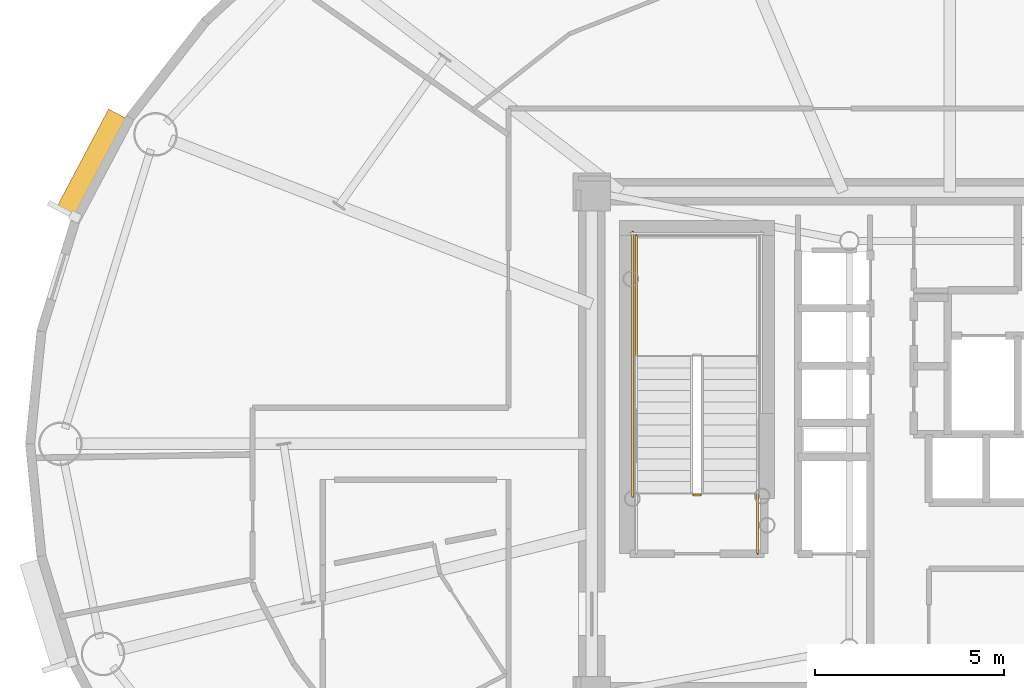
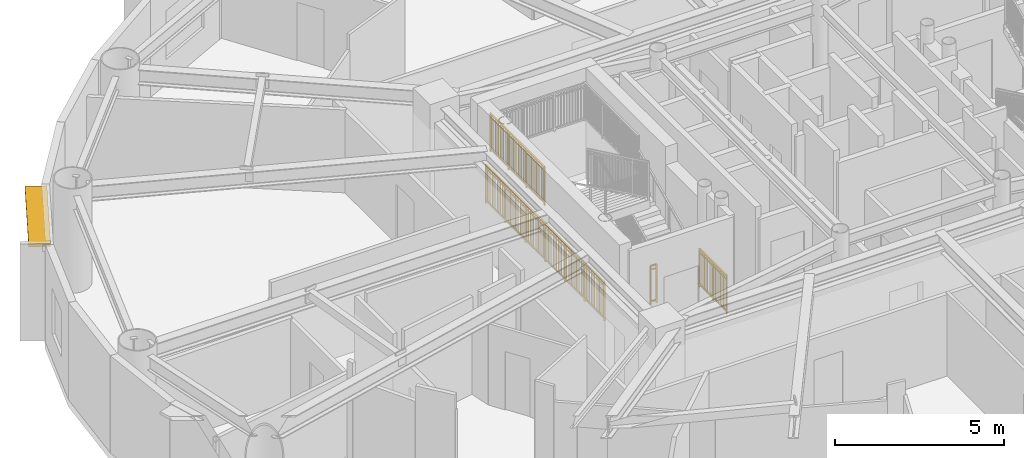
# One storey, part 16 of 21: 4 railings, 1 shading device.
"""IFC4 building model written with IfcOpenShell, lengths in metres."""

from ifc_helpers import new_model, si_unit, direction, frame, origin, origin_2d, place, context, subcontext, project, spatial, rectangle, extrude, source, transform, mapped, material, layer, layer_set, type_object, element, save


model = new_model("IFC4")

# Units and contexts
model_context = context("Model", 3, precision=1e-05, world=origin(), true_north=direction((0.0, 1.0)))
body_context = subcontext(model_context, "Body", "Model", "MODEL_VIEW")
ifc_project = project(units=[si_unit("LENGTHUNIT", "METRE"), si_unit("AREAUNIT", "SQUARE_METRE"), si_unit("VOLUMEUNIT", "CUBIC_METRE"), si_unit("PLANEANGLEUNIT", "RADIAN"), si_unit("MASSUNIT", "GRAM", prefix="KILO")], contexts=[model_context])

# Site, building, storey
site_placement = place(None, origin())
site = spatial("IfcSite", under=ifc_project, at=site_placement, CompositionType="ELEMENT")
building_placement = place(site_placement, origin())
building = spatial("IfcBuilding", under=site, at=building_placement, Name="Linh Dai School and Residence Tower", CompositionType="ELEMENT")
storey_placement = place(building_placement, frame((0.0, 0.0, 251.550048828125)))
storey = spatial("IfcBuildingStorey", under=building, at=storey_placement, Name="L62", CompositionType="ELEMENT", Elevation=251.550048828125)

# Shading device
ifc_material_1 = material(Name="Terracotta Ceramic Sunshade", Category="masonry")
ifc_layer = layer(ifc_material_1, 0.10009765625)
ifc_layer_set = layer_set([ifc_layer], Name="Terracotta Ceramic Sunshade")
shading_device_type = type_object("IfcShadingDeviceType", Name="SHD-TC-650", PredefinedType="USERDEFINED", material=ifc_layer_set)
shared_shape_1 = source(origin(), body_context, "Body", "SweptSolid", [
    extrude(rectangle(XDim=2.986083984375, YDim=0.64990234375, at=origin_2d()), origin(), (0.0, 0.0, 1.0), 0.10009765625),
])
shading_device_placement = place(storey_placement, frame((13.385009765625, 34.36376953125, 3.3798828125), z_axis=(0.0, 0.0, 1.0), x_axis=(0.467621224891, 0.883928950783, 0.0)))
element("IfcShadingDevice", 1, at=shading_device_placement, inside=storey, type_object=shading_device_type, Name="L62 Terracotta Horizontal Sunshade Band 18", ObjectType="SUNSHADE", PredefinedType="USERDEFINED", context=body_context, shape_type="MappedRepresentation", body=[
    mapped(shared_shape_1, transform((0.0, 0.0, 0.0), x_axis=(1.0, 0.0, 0.0), y_axis=(0.0, 1.0, 0.0), z_axis=(0.0, 0.0, 1.0), scale=1.0)),
])

# Railings
ifc_material_2 = material(Name="Structural Steel S355JR", Category="steel")
railing_type = type_object("IfcRailingType", Name="RL-ST-GUARD-1400", PredefinedType="GUARDRAIL", material=ifc_material_2)
shared_shape_2 = source(origin(), body_context, "Body", "SweptSolid", [
    extrude(rectangle(XDim=0.048095703125, YDim=0.048095703125, at=origin_2d()), frame((0.0, 0.0, 1.3759765625), z_axis=(-1.0, 0.0, 0.0), x_axis=(0.0, -1.0, 0.0)), (0.0, 0.0, 1.0), 0.199951171875),
    extrude(rectangle(XDim=0.048095703125, YDim=0.048095703125, at=origin_2d()), frame((0.0, 0.0, 0.10009765625), z_axis=(-1.0, 0.0, 0.0), x_axis=(0.0, -1.0, 0.0)), (0.0, 0.0, 1.0), 0.199951171875),
    extrude(rectangle(XDim=0.030029296875, YDim=0.030029296875, at=origin_2d()), frame((0.0, 0.0, 1.239990234375), z_axis=(-1.0, 0.0, 0.0), x_axis=(0.0, -1.0, 0.0)), (0.0, 0.0, 1.0), 0.199951171875),
    extrude(rectangle(XDim=0.0419921875, YDim=0.0419921875, at=origin_2d()), origin(), (0.0, 0.0, 1.0), 1.3759765625),
    extrude(rectangle(XDim=0.0419921875, YDim=0.0419921875, at=origin_2d()), frame((-0.199951171875, 0.0, 0.0)), (0.0, 0.0, 1.0), 1.3759765625),
])
railing_1_placement = place(storey_placement, frame((29.429931640625, 25.64990234375, 0.0)))
element("IfcRailing", 2, at=railing_1_placement, inside=storey, type_object=railing_type, Name="L62 ST1 stair guard 7", PredefinedType="GUARDRAIL", context=body_context, shape_type="MappedRepresentation", body=[
    mapped(shared_shape_2, transform((0.0, 0.0, 0.0), x_axis=(1.0, 0.0, 0.0), y_axis=(0.0, 1.0, 0.0), z_axis=(0.0, 0.0, 1.0), scale=1.0)),
])
shared_shape_3 = source(origin(), body_context, "Body", "SweptSolid", [
    extrude(rectangle(XDim=0.048095703125, YDim=0.048095703125, at=origin_2d()), frame((0.0, 0.0, 1.3759765625), z_axis=(0.0, 1.0, 0.0), x_axis=(-1.0, 0.0, 0.0)), (0.0, 0.0, 1.0), 1.599853515625),
    extrude(rectangle(XDim=0.048095703125, YDim=0.048095703125, at=origin_2d()), frame((0.0, 0.0, 0.10009765625), z_axis=(0.0, 1.0, 0.0), x_axis=(-1.0, 0.0, 0.0)), (0.0, 0.0, 1.0), 1.599853515625),
    extrude(rectangle(XDim=0.030029296875, YDim=0.030029296875, at=origin_2d()), frame((0.0, 0.0, 1.239990234375), z_axis=(0.0, 1.0, 0.0), x_axis=(-1.0, 0.0, 0.0)), (0.0, 0.0, 1.0), 1.599853515625),
    extrude(rectangle(XDim=0.02001953125, YDim=0.02001953125, at=origin_2d()), frame((0.0, 0.093994140625, 0.10009765625)), (0.0, 0.0, 1.0), 1.251708984375),
    extrude(rectangle(XDim=0.02001953125, YDim=0.02001953125, at=origin_2d()), frame((0.0, 0.188232421875, 0.10009765625)), (0.0, 0.0, 1.0), 1.251708984375),
    extrude(rectangle(XDim=0.02001953125, YDim=0.02001953125, at=origin_2d()), frame((0.0, 0.2822265625, 0.10009765625)), (0.0, 0.0, 1.0), 1.251708984375),
    extrude(rectangle(XDim=0.02001953125, YDim=0.02001953125, at=origin_2d()), frame((0.0, 0.37646484375, 0.10009765625)), (0.0, 0.0, 1.0), 1.251708984375),
    extrude(rectangle(XDim=0.02001953125, YDim=0.02001953125, at=origin_2d()), frame((0.0, 0.470458984375, 0.10009765625)), (0.0, 0.0, 1.0), 1.251708984375),
    extrude(rectangle(XDim=0.02001953125, YDim=0.02001953125, at=origin_2d()), frame((0.0, 0.564697265625, 0.10009765625)), (0.0, 0.0, 1.0), 1.251708984375),
    extrude(rectangle(XDim=0.02001953125, YDim=0.02001953125, at=origin_2d()), frame((0.0, 0.65869140625, 0.10009765625)), (0.0, 0.0, 1.0), 1.251708984375),
    extrude(rectangle(XDim=0.02001953125, YDim=0.02001953125, at=origin_2d()), frame((0.0, 0.7529296875, 0.10009765625)), (0.0, 0.0, 1.0), 1.251708984375),
    extrude(rectangle(XDim=0.02001953125, YDim=0.02001953125, at=origin_2d()), frame((0.0, 0.846923828125, 0.10009765625)), (0.0, 0.0, 1.0), 1.251708984375),
    extrude(rectangle(XDim=0.02001953125, YDim=0.02001953125, at=origin_2d()), frame((0.0, 0.941162109375, 0.10009765625)), (0.0, 0.0, 1.0), 1.251708984375),
    extrude(rectangle(XDim=0.02001953125, YDim=0.02001953125, at=origin_2d()), frame((0.0, 1.03515625, 0.10009765625)), (0.0, 0.0, 1.0), 1.251708984375),
    extrude(rectangle(XDim=0.02001953125, YDim=0.02001953125, at=origin_2d()), frame((0.0, 1.12939453125, 0.10009765625)), (0.0, 0.0, 1.0), 1.251708984375),
    extrude(rectangle(XDim=0.02001953125, YDim=0.02001953125, at=origin_2d()), frame((0.0, 1.223388671875, 0.10009765625)), (0.0, 0.0, 1.0), 1.251708984375),
    extrude(rectangle(XDim=0.02001953125, YDim=0.02001953125, at=origin_2d()), frame((0.0, 1.317626953125, 0.10009765625)), (0.0, 0.0, 1.0), 1.251708984375),
    extrude(rectangle(XDim=0.02001953125, YDim=0.02001953125, at=origin_2d()), frame((0.0, 1.41162109375, 0.10009765625)), (0.0, 0.0, 1.0), 1.251708984375),
    extrude(rectangle(XDim=0.02001953125, YDim=0.02001953125, at=origin_2d()), frame((0.0, 1.505859375, 0.10009765625)), (0.0, 0.0, 1.0), 1.251708984375),
    extrude(rectangle(XDim=0.0419921875, YDim=0.0419921875, at=origin_2d()), origin(), (0.0, 0.0, 1.0), 1.3759765625),
    extrude(rectangle(XDim=0.0419921875, YDim=0.0419921875, at=origin_2d()), frame((0.0, 0.7998046875, 0.0)), (0.0, 0.0, 1.0), 1.3759765625),
    extrude(rectangle(XDim=0.0419921875, YDim=0.0419921875, at=origin_2d()), frame((0.0, 1.599853515625, 0.0)), (0.0, 0.0, 1.0), 1.3759765625),
])
railing_2_placement = place(storey_placement, frame((30.929931640625, 24.10009765625, 0.0)))
element("IfcRailing", 3, at=railing_2_placement, inside=storey, type_object=railing_type, Name="L62 ST1 stair guard 8", PredefinedType="GUARDRAIL", context=body_context, shape_type="MappedRepresentation", body=[
    mapped(shared_shape_3, transform((0.0, 0.0, 0.0), x_axis=(1.0, 0.0, 0.0), y_axis=(0.0, 1.0, 0.0), z_axis=(0.0, 0.0, 1.0), scale=1.0)),
])
shared_shape_4 = source(origin(), body_context, "Body", "SweptSolid", [
    extrude(rectangle(XDim=0.048095703125, YDim=0.048095703125, at=origin_2d()), frame((0.0, 0.0, 1.3759765625), z_axis=(0.0, 1.0, 0.0), x_axis=(-1.0, 0.0, 0.0)), (0.0, 0.0, 1.0), 7.0),
    extrude(rectangle(XDim=0.048095703125, YDim=0.048095703125, at=origin_2d()), frame((0.0, 0.0, 0.10009765625), z_axis=(0.0, 1.0, 0.0), x_axis=(-1.0, 0.0, 0.0)), (0.0, 0.0, 1.0), 7.0),
    extrude(rectangle(XDim=0.030029296875, YDim=0.030029296875, at=origin_2d()), frame((0.0, 0.0, 1.239990234375), z_axis=(0.0, 1.0, 0.0), x_axis=(-1.0, 0.0, 0.0)), (0.0, 0.0, 1.0), 7.0),
    extrude(rectangle(XDim=0.02001953125, YDim=0.02001953125, at=origin_2d()), frame((0.0, 0.09716796875, 0.10009765625)), (0.0, 0.0, 1.0), 1.251708984375),
    extrude(rectangle(XDim=0.02001953125, YDim=0.02001953125, at=origin_2d()), frame((0.0, 0.1943359375, 0.10009765625)), (0.0, 0.0, 1.0), 1.251708984375),
    extrude(rectangle(XDim=0.02001953125, YDim=0.02001953125, at=origin_2d()), frame((0.0, 0.291748046875, 0.10009765625)), (0.0, 0.0, 1.0), 1.251708984375),
    extrude(rectangle(XDim=0.02001953125, YDim=0.02001953125, at=origin_2d()), frame((0.0, 0.388916015625, 0.10009765625)), (0.0, 0.0, 1.0), 1.251708984375),
    extrude(rectangle(XDim=0.02001953125, YDim=0.02001953125, at=origin_2d()), frame((0.0, 0.486083984375, 0.10009765625)), (0.0, 0.0, 1.0), 1.251708984375),
    extrude(rectangle(XDim=0.02001953125, YDim=0.02001953125, at=origin_2d()), frame((0.0, 0.583251953125, 0.10009765625)), (0.0, 0.0, 1.0), 1.251708984375),
    extrude(rectangle(XDim=0.02001953125, YDim=0.02001953125, at=origin_2d()), frame((0.0, 0.6806640625, 0.10009765625)), (0.0, 0.0, 1.0), 1.251708984375),
    extrude(rectangle(XDim=0.02001953125, YDim=0.02001953125, at=origin_2d()), frame((0.0, 0.77783203125, 0.10009765625)), (0.0, 0.0, 1.0), 1.251708984375),
    extrude(rectangle(XDim=0.02001953125, YDim=0.02001953125, at=origin_2d()), frame((0.0, 0.875, 0.10009765625)), (0.0, 0.0, 1.0), 1.251708984375),
    extrude(rectangle(XDim=0.02001953125, YDim=0.02001953125, at=origin_2d()), frame((0.0, 0.97216796875, 0.10009765625)), (0.0, 0.0, 1.0), 1.251708984375),
    extrude(rectangle(XDim=0.02001953125, YDim=0.02001953125, at=origin_2d()), frame((0.0, 1.0693359375, 0.10009765625)), (0.0, 0.0, 1.0), 1.251708984375),
    extrude(rectangle(XDim=0.02001953125, YDim=0.02001953125, at=origin_2d()), frame((0.0, 1.263916015625, 0.10009765625)), (0.0, 0.0, 1.0), 1.251708984375),
    extrude(rectangle(XDim=0.02001953125, YDim=0.02001953125, at=origin_2d()), frame((0.0, 1.361083984375, 0.10009765625)), (0.0, 0.0, 1.0), 1.251708984375),
    extrude(rectangle(XDim=0.02001953125, YDim=0.02001953125, at=origin_2d()), frame((0.0, 1.458251953125, 0.10009765625)), (0.0, 0.0, 1.0), 1.251708984375),
    extrude(rectangle(XDim=0.02001953125, YDim=0.02001953125, at=origin_2d()), frame((0.0, 1.5556640625, 0.10009765625)), (0.0, 0.0, 1.0), 1.251708984375),
    extrude(rectangle(XDim=0.02001953125, YDim=0.02001953125, at=origin_2d()), frame((0.0, 1.65283203125, 0.10009765625)), (0.0, 0.0, 1.0), 1.251708984375),
    extrude(rectangle(XDim=0.02001953125, YDim=0.02001953125, at=origin_2d()), frame((0.0, 1.75, 0.10009765625)), (0.0, 0.0, 1.0), 1.251708984375),
    extrude(rectangle(XDim=0.02001953125, YDim=0.02001953125, at=origin_2d()), frame((0.0, 1.84716796875, 0.10009765625)), (0.0, 0.0, 1.0), 1.251708984375),
    extrude(rectangle(XDim=0.02001953125, YDim=0.02001953125, at=origin_2d()), frame((0.0, 1.9443359375, 0.10009765625)), (0.0, 0.0, 1.0), 1.251708984375),
    extrude(rectangle(XDim=0.02001953125, YDim=0.02001953125, at=origin_2d()), frame((0.0, 2.041748046875, 0.10009765625)), (0.0, 0.0, 1.0), 1.251708984375),
    extrude(rectangle(XDim=0.02001953125, YDim=0.02001953125, at=origin_2d()), frame((0.0, 2.138916015625, 0.10009765625)), (0.0, 0.0, 1.0), 1.251708984375),
    extrude(rectangle(XDim=0.02001953125, YDim=0.02001953125, at=origin_2d()), frame((0.0, 2.236083984375, 0.10009765625)), (0.0, 0.0, 1.0), 1.251708984375),
    extrude(rectangle(XDim=0.02001953125, YDim=0.02001953125, at=origin_2d()), frame((0.0, 2.4306640625, 0.10009765625)), (0.0, 0.0, 1.0), 1.251708984375),
    extrude(rectangle(XDim=0.02001953125, YDim=0.02001953125, at=origin_2d()), frame((0.0, 2.52783203125, 0.10009765625)), (0.0, 0.0, 1.0), 1.251708984375),
    extrude(rectangle(XDim=0.02001953125, YDim=0.02001953125, at=origin_2d()), frame((0.0, 2.625, 0.10009765625)), (0.0, 0.0, 1.0), 1.251708984375),
    extrude(rectangle(XDim=0.02001953125, YDim=0.02001953125, at=origin_2d()), frame((0.0, 2.72216796875, 0.10009765625)), (0.0, 0.0, 1.0), 1.251708984375),
    extrude(rectangle(XDim=0.02001953125, YDim=0.02001953125, at=origin_2d()), frame((0.0, 2.8193359375, 0.10009765625)), (0.0, 0.0, 1.0), 1.251708984375),
    extrude(rectangle(XDim=0.02001953125, YDim=0.02001953125, at=origin_2d()), frame((0.0, 2.916748046875, 0.10009765625)), (0.0, 0.0, 1.0), 1.251708984375),
    extrude(rectangle(XDim=0.02001953125, YDim=0.02001953125, at=origin_2d()), frame((0.0, 3.013916015625, 0.10009765625)), (0.0, 0.0, 1.0), 1.251708984375),
    extrude(rectangle(XDim=0.02001953125, YDim=0.02001953125, at=origin_2d()), frame((0.0, 3.111083984375, 0.10009765625)), (0.0, 0.0, 1.0), 1.251708984375),
    extrude(rectangle(XDim=0.02001953125, YDim=0.02001953125, at=origin_2d()), frame((0.0, 3.208251953125, 0.10009765625)), (0.0, 0.0, 1.0), 1.251708984375),
    extrude(rectangle(XDim=0.02001953125, YDim=0.02001953125, at=origin_2d()), frame((0.0, 3.3056640625, 0.10009765625)), (0.0, 0.0, 1.0), 1.251708984375),
    extrude(rectangle(XDim=0.02001953125, YDim=0.02001953125, at=origin_2d()), frame((0.0, 3.40283203125, 0.10009765625)), (0.0, 0.0, 1.0), 1.251708984375),
    extrude(rectangle(XDim=0.02001953125, YDim=0.02001953125, at=origin_2d()), frame((0.0, 3.59716796875, 0.10009765625)), (0.0, 0.0, 1.0), 1.251708984375),
    extrude(rectangle(XDim=0.02001953125, YDim=0.02001953125, at=origin_2d()), frame((0.0, 3.6943359375, 0.10009765625)), (0.0, 0.0, 1.0), 1.251708984375),
    extrude(rectangle(XDim=0.02001953125, YDim=0.02001953125, at=origin_2d()), frame((0.0, 3.791748046875, 0.10009765625)), (0.0, 0.0, 1.0), 1.251708984375),
    extrude(rectangle(XDim=0.02001953125, YDim=0.02001953125, at=origin_2d()), frame((0.0, 3.888916015625, 0.10009765625)), (0.0, 0.0, 1.0), 1.251708984375),
    extrude(rectangle(XDim=0.02001953125, YDim=0.02001953125, at=origin_2d()), frame((0.0, 3.986083984375, 0.10009765625)), (0.0, 0.0, 1.0), 1.251708984375),
    extrude(rectangle(XDim=0.02001953125, YDim=0.02001953125, at=origin_2d()), frame((0.0, 4.083251953125, 0.10009765625)), (0.0, 0.0, 1.0), 1.251708984375),
    extrude(rectangle(XDim=0.02001953125, YDim=0.02001953125, at=origin_2d()), frame((0.0, 4.1806640625, 0.10009765625)), (0.0, 0.0, 1.0), 1.251708984375),
    extrude(rectangle(XDim=0.02001953125, YDim=0.02001953125, at=origin_2d()), frame((0.0, 4.27783203125, 0.10009765625)), (0.0, 0.0, 1.0), 1.251708984375),
    extrude(rectangle(XDim=0.02001953125, YDim=0.02001953125, at=origin_2d()), frame((0.0, 4.375, 0.10009765625)), (0.0, 0.0, 1.0), 1.251708984375),
    extrude(rectangle(XDim=0.02001953125, YDim=0.02001953125, at=origin_2d()), frame((0.0, 4.47216796875, 0.10009765625)), (0.0, 0.0, 1.0), 1.251708984375),
    extrude(rectangle(XDim=0.02001953125, YDim=0.02001953125, at=origin_2d()), frame((0.0, 4.5693359375, 0.10009765625)), (0.0, 0.0, 1.0), 1.251708984375),
    extrude(rectangle(XDim=0.02001953125, YDim=0.02001953125, at=origin_2d()), frame((0.0, 4.763916015625, 0.10009765625)), (0.0, 0.0, 1.0), 1.251708984375),
    extrude(rectangle(XDim=0.02001953125, YDim=0.02001953125, at=origin_2d()), frame((0.0, 4.861083984375, 0.10009765625)), (0.0, 0.0, 1.0), 1.251708984375),
    extrude(rectangle(XDim=0.02001953125, YDim=0.02001953125, at=origin_2d()), frame((0.0, 4.958251953125, 0.10009765625)), (0.0, 0.0, 1.0), 1.251708984375),
    extrude(rectangle(XDim=0.02001953125, YDim=0.02001953125, at=origin_2d()), frame((0.0, 5.0556640625, 0.10009765625)), (0.0, 0.0, 1.0), 1.251708984375),
    extrude(rectangle(XDim=0.02001953125, YDim=0.02001953125, at=origin_2d()), frame((0.0, 5.15283203125, 0.10009765625)), (0.0, 0.0, 1.0), 1.251708984375),
    extrude(rectangle(XDim=0.02001953125, YDim=0.02001953125, at=origin_2d()), frame((0.0, 5.25, 0.10009765625)), (0.0, 0.0, 1.0), 1.251708984375),
    extrude(rectangle(XDim=0.02001953125, YDim=0.02001953125, at=origin_2d()), frame((0.0, 5.34716796875, 0.10009765625)), (0.0, 0.0, 1.0), 1.251708984375),
    extrude(rectangle(XDim=0.02001953125, YDim=0.02001953125, at=origin_2d()), frame((0.0, 5.4443359375, 0.10009765625)), (0.0, 0.0, 1.0), 1.251708984375),
    extrude(rectangle(XDim=0.02001953125, YDim=0.02001953125, at=origin_2d()), frame((0.0, 5.541748046875, 0.10009765625)), (0.0, 0.0, 1.0), 1.251708984375),
    extrude(rectangle(XDim=0.02001953125, YDim=0.02001953125, at=origin_2d()), frame((0.0, 5.638916015625, 0.10009765625)), (0.0, 0.0, 1.0), 1.251708984375),
    extrude(rectangle(XDim=0.02001953125, YDim=0.02001953125, at=origin_2d()), frame((0.0, 5.736083984375, 0.10009765625)), (0.0, 0.0, 1.0), 1.251708984375),
    extrude(rectangle(XDim=0.02001953125, YDim=0.02001953125, at=origin_2d()), frame((0.0, 5.9306640625, 0.10009765625)), (0.0, 0.0, 1.0), 1.251708984375),
    extrude(rectangle(XDim=0.02001953125, YDim=0.02001953125, at=origin_2d()), frame((0.0, 6.02783203125, 0.10009765625)), (0.0, 0.0, 1.0), 1.251708984375),
    extrude(rectangle(XDim=0.02001953125, YDim=0.02001953125, at=origin_2d()), frame((0.0, 6.125, 0.10009765625)), (0.0, 0.0, 1.0), 1.251708984375),
    extrude(rectangle(XDim=0.02001953125, YDim=0.02001953125, at=origin_2d()), frame((0.0, 6.22216796875, 0.10009765625)), (0.0, 0.0, 1.0), 1.251708984375),
    extrude(rectangle(XDim=0.02001953125, YDim=0.02001953125, at=origin_2d()), frame((0.0, 6.3193359375, 0.10009765625)), (0.0, 0.0, 1.0), 1.251708984375),
    extrude(rectangle(XDim=0.02001953125, YDim=0.02001953125, at=origin_2d()), frame((0.0, 6.416748046875, 0.10009765625)), (0.0, 0.0, 1.0), 1.251708984375),
    extrude(rectangle(XDim=0.02001953125, YDim=0.02001953125, at=origin_2d()), frame((0.0, 6.513916015625, 0.10009765625)), (0.0, 0.0, 1.0), 1.251708984375),
    extrude(rectangle(XDim=0.02001953125, YDim=0.02001953125, at=origin_2d()), frame((0.0, 6.611083984375, 0.10009765625)), (0.0, 0.0, 1.0), 1.251708984375),
    extrude(rectangle(XDim=0.02001953125, YDim=0.02001953125, at=origin_2d()), frame((0.0, 6.708251953125, 0.10009765625)), (0.0, 0.0, 1.0), 1.251708984375),
    extrude(rectangle(XDim=0.02001953125, YDim=0.02001953125, at=origin_2d()), frame((0.0, 6.8056640625, 0.10009765625)), (0.0, 0.0, 1.0), 1.251708984375),
    extrude(rectangle(XDim=0.02001953125, YDim=0.02001953125, at=origin_2d()), frame((0.0, 6.90283203125, 0.10009765625)), (0.0, 0.0, 1.0), 1.251708984375),
    extrude(rectangle(XDim=0.0419921875, YDim=0.0419921875, at=origin_2d()), origin(), (0.0, 0.0, 1.0), 1.3759765625),
    extrude(rectangle(XDim=0.0419921875, YDim=0.0419921875, at=origin_2d()), frame((0.0, 1.166748046875, 0.0)), (0.0, 0.0, 1.0), 1.3759765625),
    extrude(rectangle(XDim=0.0419921875, YDim=0.0419921875, at=origin_2d()), frame((0.0, 2.333251953125, 0.0)), (0.0, 0.0, 1.0), 1.3759765625),
    extrude(rectangle(XDim=0.0419921875, YDim=0.0419921875, at=origin_2d()), frame((0.0, 3.5, 0.0)), (0.0, 0.0, 1.0), 1.3759765625),
    extrude(rectangle(XDim=0.0419921875, YDim=0.0419921875, at=origin_2d()), frame((0.0, 4.666748046875, 0.0)), (0.0, 0.0, 1.0), 1.3759765625),
    extrude(rectangle(XDim=0.0419921875, YDim=0.0419921875, at=origin_2d()), frame((0.0, 5.833251953125, 0.0)), (0.0, 0.0, 1.0), 1.3759765625),
    extrude(rectangle(XDim=0.0419921875, YDim=0.0419921875, at=origin_2d()), frame((0.0, 7.0, 0.0)), (0.0, 0.0, 1.0), 1.3759765625),
])
railing_3_placement = place(storey_placement, frame((27.6298828125, 25.60009765625, 0.0)))
element("IfcRailing", 4, at=railing_3_placement, inside=storey, type_object=railing_type, Name="L62 ST1 stair guard 11", PredefinedType="GUARDRAIL", context=body_context, shape_type="MappedRepresentation", body=[
    mapped(shared_shape_4, transform((0.0, 0.0, 0.0), x_axis=(1.0, 0.0, 0.0), y_axis=(0.0, 1.0, 0.0), z_axis=(0.0, 0.0, 1.0), scale=1.0)),
])
shared_shape_5 = source(origin(), body_context, "Body", "SweptSolid", [
    extrude(rectangle(XDim=0.048095703125, YDim=0.048095703125, at=origin_2d()), frame((0.0, 0.0, 1.3759765625), z_axis=(0.0, 1.0, 0.0), x_axis=(-1.0, 0.0, 0.0)), (0.0, 0.0, 1.0), 3.199951171875),
    extrude(rectangle(XDim=0.048095703125, YDim=0.048095703125, at=origin_2d()), frame((0.0, 0.0, 0.10009765625), z_axis=(0.0, 1.0, 0.0), x_axis=(-1.0, 0.0, 0.0)), (0.0, 0.0, 1.0), 3.199951171875),
    extrude(rectangle(XDim=0.030029296875, YDim=0.030029296875, at=origin_2d()), frame((0.0, 0.0, 1.239990234375), z_axis=(0.0, 1.0, 0.0), x_axis=(-1.0, 0.0, 0.0)), (0.0, 0.0, 1.0), 3.199951171875),
    extrude(rectangle(XDim=0.02001953125, YDim=0.02001953125, at=origin_2d()), frame((0.0, 0.096923828125, 0.10009765625)), (0.0, 0.0, 1.0), 1.251708984375),
    extrude(rectangle(XDim=0.02001953125, YDim=0.02001953125, at=origin_2d()), frame((0.0, 0.19384765625, 0.10009765625)), (0.0, 0.0, 1.0), 1.251708984375),
    extrude(rectangle(XDim=0.02001953125, YDim=0.02001953125, at=origin_2d()), frame((0.0, 0.291015625, 0.10009765625)), (0.0, 0.0, 1.0), 1.251708984375),
    extrude(rectangle(XDim=0.02001953125, YDim=0.02001953125, at=origin_2d()), frame((0.0, 0.387939453125, 0.10009765625)), (0.0, 0.0, 1.0), 1.251708984375),
    extrude(rectangle(XDim=0.02001953125, YDim=0.02001953125, at=origin_2d()), frame((0.0, 0.48486328125, 0.10009765625)), (0.0, 0.0, 1.0), 1.251708984375),
    extrude(rectangle(XDim=0.02001953125, YDim=0.02001953125, at=origin_2d()), frame((0.0, 0.581787109375, 0.10009765625)), (0.0, 0.0, 1.0), 1.251708984375),
    extrude(rectangle(XDim=0.02001953125, YDim=0.02001953125, at=origin_2d()), frame((0.0, 0.6787109375, 0.10009765625)), (0.0, 0.0, 1.0), 1.251708984375),
    extrude(rectangle(XDim=0.02001953125, YDim=0.02001953125, at=origin_2d()), frame((0.0, 0.775634765625, 0.10009765625)), (0.0, 0.0, 1.0), 1.251708984375),
    extrude(rectangle(XDim=0.02001953125, YDim=0.02001953125, at=origin_2d()), frame((0.0, 0.872802734375, 0.10009765625)), (0.0, 0.0, 1.0), 1.251708984375),
    extrude(rectangle(XDim=0.02001953125, YDim=0.02001953125, at=origin_2d()), frame((0.0, 0.9697265625, 0.10009765625)), (0.0, 0.0, 1.0), 1.251708984375),
    extrude(rectangle(XDim=0.02001953125, YDim=0.02001953125, at=origin_2d()), frame((0.0, 1.16357421875, 0.10009765625)), (0.0, 0.0, 1.0), 1.251708984375),
    extrude(rectangle(XDim=0.02001953125, YDim=0.02001953125, at=origin_2d()), frame((0.0, 1.260498046875, 0.10009765625)), (0.0, 0.0, 1.0), 1.251708984375),
    extrude(rectangle(XDim=0.02001953125, YDim=0.02001953125, at=origin_2d()), frame((0.0, 1.357666015625, 0.10009765625)), (0.0, 0.0, 1.0), 1.251708984375),
    extrude(rectangle(XDim=0.02001953125, YDim=0.02001953125, at=origin_2d()), frame((0.0, 1.45458984375, 0.10009765625)), (0.0, 0.0, 1.0), 1.251708984375),
    extrude(rectangle(XDim=0.02001953125, YDim=0.02001953125, at=origin_2d()), frame((0.0, 1.551513671875, 0.10009765625)), (0.0, 0.0, 1.0), 1.251708984375),
    extrude(rectangle(XDim=0.02001953125, YDim=0.02001953125, at=origin_2d()), frame((0.0, 1.6484375, 0.10009765625)), (0.0, 0.0, 1.0), 1.251708984375),
    extrude(rectangle(XDim=0.02001953125, YDim=0.02001953125, at=origin_2d()), frame((0.0, 1.745361328125, 0.10009765625)), (0.0, 0.0, 1.0), 1.251708984375),
    extrude(rectangle(XDim=0.02001953125, YDim=0.02001953125, at=origin_2d()), frame((0.0, 1.84228515625, 0.10009765625)), (0.0, 0.0, 1.0), 1.251708984375),
    extrude(rectangle(XDim=0.02001953125, YDim=0.02001953125, at=origin_2d()), frame((0.0, 1.939453125, 0.10009765625)), (0.0, 0.0, 1.0), 1.251708984375),
    extrude(rectangle(XDim=0.02001953125, YDim=0.02001953125, at=origin_2d()), frame((0.0, 2.036376953125, 0.10009765625)), (0.0, 0.0, 1.0), 1.251708984375),
    extrude(rectangle(XDim=0.02001953125, YDim=0.02001953125, at=origin_2d()), frame((0.0, 2.230224609375, 0.10009765625)), (0.0, 0.0, 1.0), 1.251708984375),
    extrude(rectangle(XDim=0.02001953125, YDim=0.02001953125, at=origin_2d()), frame((0.0, 2.3271484375, 0.10009765625)), (0.0, 0.0, 1.0), 1.251708984375),
    extrude(rectangle(XDim=0.02001953125, YDim=0.02001953125, at=origin_2d()), frame((0.0, 2.42431640625, 0.10009765625)), (0.0, 0.0, 1.0), 1.251708984375),
    extrude(rectangle(XDim=0.02001953125, YDim=0.02001953125, at=origin_2d()), frame((0.0, 2.521240234375, 0.10009765625)), (0.0, 0.0, 1.0), 1.251708984375),
    extrude(rectangle(XDim=0.02001953125, YDim=0.02001953125, at=origin_2d()), frame((0.0, 2.6181640625, 0.10009765625)), (0.0, 0.0, 1.0), 1.251708984375),
    extrude(rectangle(XDim=0.02001953125, YDim=0.02001953125, at=origin_2d()), frame((0.0, 2.715087890625, 0.10009765625)), (0.0, 0.0, 1.0), 1.251708984375),
    extrude(rectangle(XDim=0.02001953125, YDim=0.02001953125, at=origin_2d()), frame((0.0, 2.81201171875, 0.10009765625)), (0.0, 0.0, 1.0), 1.251708984375),
    extrude(rectangle(XDim=0.02001953125, YDim=0.02001953125, at=origin_2d()), frame((0.0, 2.908935546875, 0.10009765625)), (0.0, 0.0, 1.0), 1.251708984375),
    extrude(rectangle(XDim=0.02001953125, YDim=0.02001953125, at=origin_2d()), frame((0.0, 3.006103515625, 0.10009765625)), (0.0, 0.0, 1.0), 1.251708984375),
    extrude(rectangle(XDim=0.02001953125, YDim=0.02001953125, at=origin_2d()), frame((0.0, 3.10302734375, 0.10009765625)), (0.0, 0.0, 1.0), 1.251708984375),
    extrude(rectangle(XDim=0.0419921875, YDim=0.0419921875, at=origin_2d()), origin(), (0.0, 0.0, 1.0), 1.3759765625),
    extrude(rectangle(XDim=0.0419921875, YDim=0.0419921875, at=origin_2d()), frame((0.0, 1.066650390625, 0.0)), (0.0, 0.0, 1.0), 1.3759765625),
    extrude(rectangle(XDim=0.0419921875, YDim=0.0419921875, at=origin_2d()), frame((0.0, 2.13330078125, 0.0)), (0.0, 0.0, 1.0), 1.3759765625),
    extrude(rectangle(XDim=0.0419921875, YDim=0.0419921875, at=origin_2d()), frame((0.0, 3.199951171875, 0.0)), (0.0, 0.0, 1.0), 1.3759765625),
])
railing_4_placement = place(storey_placement, frame((27.72998046875, 29.300048828125, 1.875)))
element("IfcRailing", 5, at=railing_4_placement, inside=storey, type_object=railing_type, Name="L62 ST1 stair guard 4", PredefinedType="GUARDRAIL", context=body_context, shape_type="MappedRepresentation", body=[
    mapped(shared_shape_5, transform((0.0, 0.0, 0.0), x_axis=(1.0, 0.0, 0.0), y_axis=(0.0, 1.0, 0.0), z_axis=(0.0, 0.0, 1.0), scale=1.0)),
])

save(model, "model.ifc")
